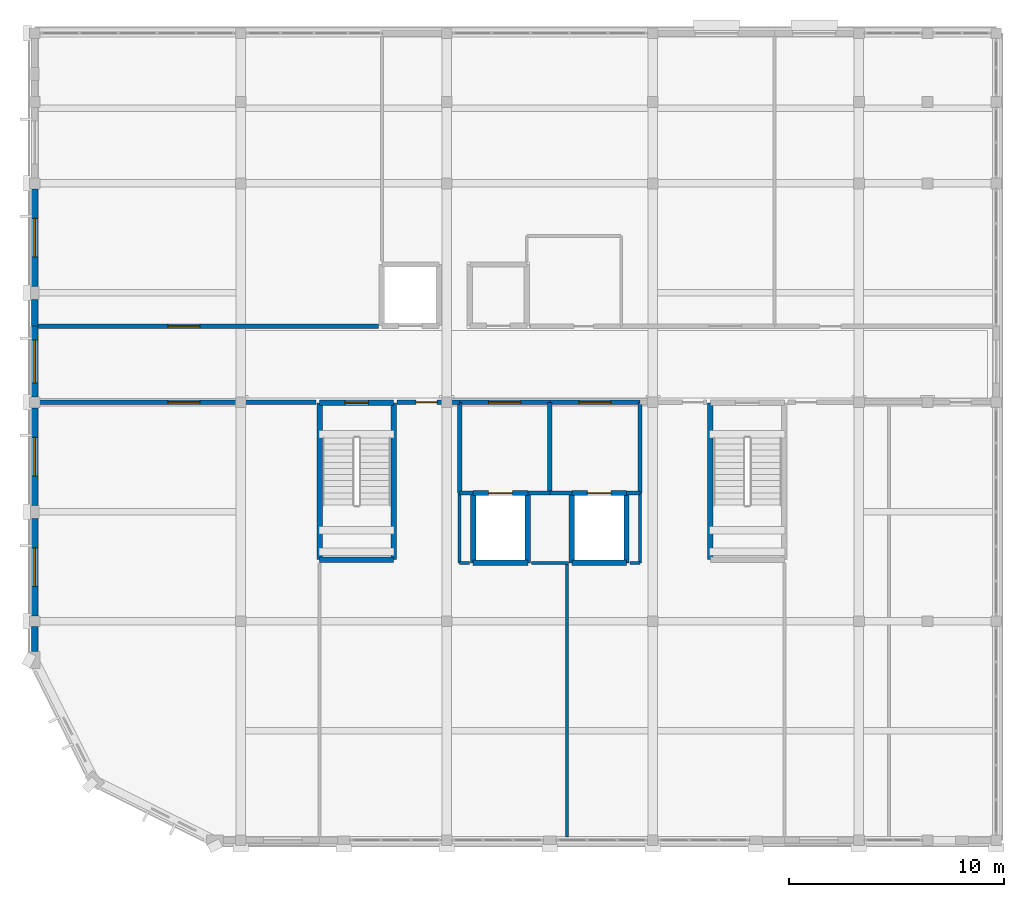
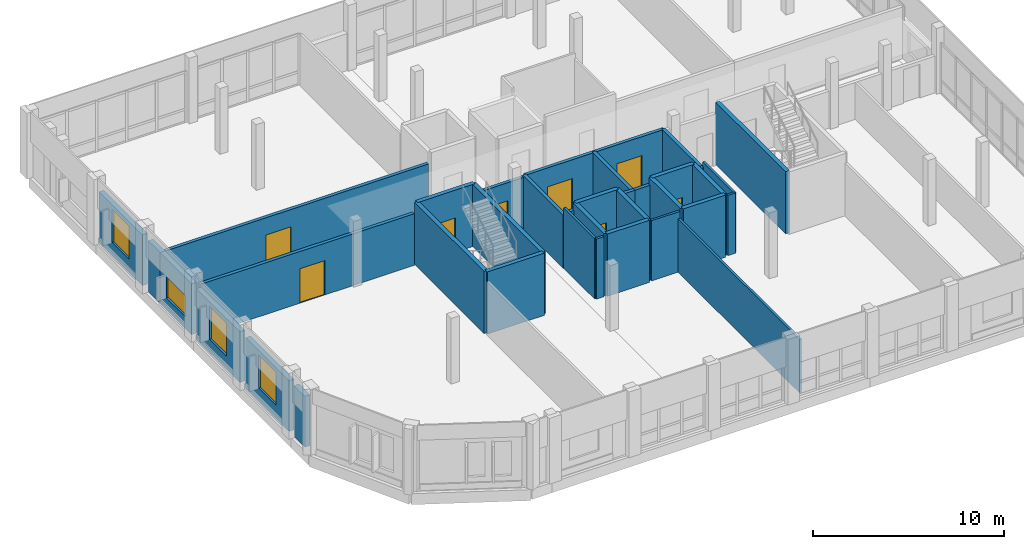
# One storey, part 21 of 29: 37 walls, 8 doors, 4 windows, 12 openings.
"""IFC4 building model written with IfcOpenShell, lengths in metres."""

from ifc_helpers import new_model, si_unit, direction, frame, frame_2d, origin, place, context, subcontext, project, spatial, rectangle, extrude, material, layer, layer_set, type_object, element, fill, save


model = new_model("IFC4")

# Units and contexts
model_context = context("Model", 3, precision=1e-05, world=origin(), true_north=direction((0.0, 1.0)))
body_context = subcontext(model_context, "Body", "Model", "MODEL_VIEW")
ifc_project = project(units=[si_unit("LENGTHUNIT", "METRE"), si_unit("AREAUNIT", "SQUARE_METRE"), si_unit("VOLUMEUNIT", "CUBIC_METRE"), si_unit("PLANEANGLEUNIT", "RADIAN"), si_unit("MASSUNIT", "GRAM", prefix="KILO")], contexts=[model_context])

# Site, building, storey
site_placement = place(None, origin())
site = spatial("IfcSite", under=ifc_project, at=site_placement, CompositionType="ELEMENT")
building_placement = place(site_placement, origin())
building = spatial("IfcBuilding", under=site, at=building_placement, Name="Vondelvale Polytechnic", CompositionType="ELEMENT")
storey_placement = place(building_placement, frame((0.0, 0.0, 26.39990234375)))
storey = spatial("IfcBuildingStorey", under=building, at=storey_placement, Name="L06", CompositionType="ELEMENT", Elevation=26.39990234375)

# Wall
ifc_material_1 = material(Name="Amsterdam School iron-spot clinker clay brickwork", Category="masonry")
ifc_layer_1 = layer(ifc_material_1, 0.300048828125)
ifc_layer_set_1 = layer_set([ifc_layer_1], Name="WL-BRICK-300")
wall_type_1 = type_object("IfcWallType", Name="WL-BRICK-300", PredefinedType="SOLIDWALL", material=ifc_layer_set_1)
wall_1_placement = place(storey_placement, frame((0.0, 8.801025390625, 0.0), z_axis=(0.0, 0.0, 1.0), x_axis=(0.0, 1.0, 0.0)))
element("IfcWall", 1, at=wall_1_placement, inside=storey, type_object=wall_type_1, Name="L06 exterior masonry facade wall", PredefinedType="SOLIDWALL", context=body_context, shape_type="SweptSolid", body=[
    extrude(rectangle(XDim=1.14794921875, YDim=0.300048828125, at=frame_2d((0.573974609375, 0.0))), origin(), (0.0, 0.0, 1.0), 3.25),
])

# Wall, opening, window
wall_2_placement = place(storey_placement, frame((0.0, 10.450927734375, 0.0), z_axis=(0.0, 0.0, 1.0), x_axis=(0.0, 1.0, 0.0)))
wall_2 = element("IfcWall", 2, at=wall_2_placement, inside=storey, type_object=wall_type_1, Name="L06 exterior masonry facade wall", PredefinedType="SOLIDWALL", context=body_context, shape_type="SweptSolid", body=[
    extrude(rectangle(XDim=4.548095703125, YDim=0.300048828125, at=frame_2d((2.27392578125, 0.0))), origin(), (0.0, 0.0, 1.0), 3.25),
])
opening_1_placement = place(wall_2_placement, frame((1.3740234375, 0.0, 0.85009765625)))
opening_1 = element("IfcOpeningElement", 3, at=opening_1_placement, cuts=wall_2, Name="Opening WN-0282", PredefinedType="OPENING", context=body_context, shape_type="SweptSolid", body=[
    extrude(rectangle(XDim=1.800048828125, YDim=2.10009765625, at=frame_2d((0.89990234375, 1.050048828125))), frame((0.0, 0.159912109375, 0.0), z_axis=(0.0, -1.0, 0.0), x_axis=(1.0, 0.0, 0.0)), (0.0, 0.0, 1.0), 0.320068359375),
])
ifc_material_2 = material(Name="Double-glazed low-E insulated architectural glass", Category="glass")
window_type_1 = type_object("IfcWindowType", Name="WN-LAB-1800x2100", PartitioningType="SINGLE_PANEL", PredefinedType="WINDOW", material=ifc_material_2)
window_1_placement = place(opening_1_placement, origin())
window_1 = element("IfcWindow", 4, at=window_1_placement, inside=storey, type_object=window_type_1, Name="L06 double-glazed architectural window WN-0282", OverallHeight=2.10009765625, OverallWidth=1.800048828125, PartitioningType="SINGLE_PANEL", PredefinedType="WINDOW", context=body_context, shape_type="SweptSolid", body=[
    extrude(rectangle(XDim=1.800048828125, YDim=2.10009765625, at=frame_2d((0.89990234375, 1.050048828125))), frame((0.0, 0.030029296875, 0.0), z_axis=(0.0, -1.0, 0.0), x_axis=(1.0, 0.0, 0.0)), (0.0, 0.0, 1.0), 0.06005859375),
])
fill(opening_1, window_1)

wall_3_placement = place(storey_placement, frame((0.0, 15.60107421875, 0.0), z_axis=(0.0, 0.0, 1.0), x_axis=(0.0, 1.0, 0.0)))
wall_3 = element("IfcWall", 5, at=wall_3_placement, inside=storey, type_object=wall_type_1, Name="L06 exterior masonry facade wall", PredefinedType="SOLIDWALL", context=body_context, shape_type="SweptSolid", body=[
    extrude(rectangle(XDim=4.5478515625, YDim=0.300048828125, at=frame_2d((2.27392578125, 0.0))), origin(), (0.0, 0.0, 1.0), 3.25),
])
opening_2_placement = place(wall_3_placement, frame((1.3740234375, 0.0, 0.85009765625)))
opening_2 = element("IfcOpeningElement", 6, at=opening_2_placement, cuts=wall_3, Name="Opening WN-0283", PredefinedType="OPENING", context=body_context, shape_type="SweptSolid", body=[
    extrude(rectangle(XDim=1.800048828125, YDim=2.10009765625, at=frame_2d((0.89990234375, 1.050048828125))), frame((0.0, 0.159912109375, 0.0), z_axis=(0.0, -1.0, 0.0), x_axis=(1.0, 0.0, 0.0)), (0.0, 0.0, 1.0), 0.320068359375),
])
window_2_placement = place(opening_2_placement, origin())
window_2 = element("IfcWindow", 7, at=window_2_placement, inside=storey, type_object=window_type_1, Name="L06 double-glazed architectural window WN-0283", OverallHeight=2.10009765625, OverallWidth=1.800048828125, PartitioningType="SINGLE_PANEL", PredefinedType="WINDOW", context=body_context, shape_type="SweptSolid", body=[
    extrude(rectangle(XDim=1.800048828125, YDim=2.10009765625, at=frame_2d((0.89990234375, 1.050048828125))), frame((0.0, 0.030029296875, 0.0), z_axis=(0.0, -1.0, 0.0), x_axis=(1.0, 0.0, 0.0)), (0.0, 0.0, 1.0), 0.06005859375),
])
fill(opening_2, window_2)

wall_4_placement = place(storey_placement, frame((0.0, 20.65087890625, 0.0), z_axis=(0.0, 0.0, 1.0), x_axis=(0.0, 1.0, 0.0)))
wall_4 = element("IfcWall", 8, at=wall_4_placement, inside=storey, type_object=wall_type_1, Name="L06 exterior masonry facade wall", PredefinedType="SOLIDWALL", context=body_context, shape_type="SweptSolid", body=[
    extrude(rectangle(XDim=3.299072265625, YDim=0.300048828125, at=frame_2d((1.6494140625, 0.0))), origin(), (0.0, 0.0, 1.0), 3.25),
])
opening_3_placement = place(wall_4_placement, frame((0.6494140625, 0.0, 0.75)))
opening_3 = element("IfcOpeningElement", 9, at=opening_3_placement, cuts=wall_4, Name="Opening WN-0284", PredefinedType="OPENING", context=body_context, shape_type="SweptSolid", body=[
    extrude(rectangle(XDim=2.0, YDim=1.35009765625, at=frame_2d((1.0, 0.675048828125))), frame((0.0, 0.159912109375, 0.0), z_axis=(0.0, -1.0, 0.0), x_axis=(1.0, 0.0, 0.0)), (0.0, 0.0, 1.0), 0.320068359375),
])
window_type_2 = type_object("IfcWindowType", Name="WN-RIB-2000x1350", PartitioningType="SINGLE_PANEL", PredefinedType="WINDOW", material=ifc_material_2)
window_3_placement = place(opening_3_placement, origin())
window_3 = element("IfcWindow", 10, at=window_3_placement, inside=storey, type_object=window_type_2, Name="L06 double-glazed architectural window WN-0284", OverallHeight=1.35009765625, OverallWidth=2.0, PartitioningType="SINGLE_PANEL", PredefinedType="WINDOW", context=body_context, shape_type="SweptSolid", body=[
    extrude(rectangle(XDim=2.0, YDim=1.35009765625, at=frame_2d((1.0, 0.675048828125))), frame((0.0, 0.030029296875, 0.0), z_axis=(0.0, -1.0, 0.0), x_axis=(1.0, 0.0, 0.0)), (0.0, 0.0, 1.0), 0.06005859375),
])
fill(opening_3, window_3)

# Wall
wall_5_placement = place(storey_placement, frame((0.0, 23.949951171875, 0.0), z_axis=(0.0, 0.0, 1.0), x_axis=(0.0, 1.0, 0.0)))
element("IfcWall", 11, at=wall_5_placement, inside=storey, type_object=wall_type_1, Name="L06 exterior masonry facade wall", PredefinedType="SOLIDWALL", context=body_context, shape_type="SweptSolid", body=[
    extrude(rectangle(XDim=1.2490234375, YDim=0.300048828125, at=frame_2d((0.62451171875, 0.0))), origin(), (0.0, 0.0, 1.0), 3.25),
])

# Wall, opening, window
wall_6_placement = place(storey_placement, frame((0.0, 25.801025390625, 0.0), z_axis=(0.0, 0.0, 1.0), x_axis=(0.0, 1.0, 0.0)))
wall_6 = element("IfcWall", 12, at=wall_6_placement, inside=storey, type_object=wall_type_1, Name="L06 exterior masonry facade wall", PredefinedType="SOLIDWALL", context=body_context, shape_type="SweptSolid", body=[
    extrude(rectangle(XDim=4.548095703125, YDim=0.300048828125, at=frame_2d((2.27392578125, 0.0))), origin(), (0.0, 0.0, 1.0), 3.25),
])
opening_4_placement = place(wall_6_placement, frame((1.3740234375, 0.0, 0.85009765625)))
opening_4 = element("IfcOpeningElement", 13, at=opening_4_placement, cuts=wall_6, Name="Opening WN-0285", PredefinedType="OPENING", context=body_context, shape_type="SweptSolid", body=[
    extrude(rectangle(XDim=1.800048828125, YDim=2.10009765625, at=frame_2d((0.89990234375, 1.050048828125))), frame((0.0, 0.159912109375, 0.0), z_axis=(0.0, -1.0, 0.0), x_axis=(1.0, 0.0, 0.0)), (0.0, 0.0, 1.0), 0.320068359375),
])
window_4_placement = place(opening_4_placement, origin())
window_4 = element("IfcWindow", 14, at=window_4_placement, inside=storey, type_object=window_type_1, Name="L06 double-glazed architectural window WN-0285", OverallHeight=2.10009765625, OverallWidth=1.800048828125, PartitioningType="SINGLE_PANEL", PredefinedType="WINDOW", context=body_context, shape_type="SweptSolid", body=[
    extrude(rectangle(XDim=1.800048828125, YDim=2.10009765625, at=frame_2d((0.89990234375, 1.050048828125))), frame((0.0, 0.030029296875, 0.0), z_axis=(0.0, -1.0, 0.0), x_axis=(1.0, 0.0, 0.0)), (0.0, 0.0, 1.0), 0.06005859375),
])
fill(opening_4, window_4)

# Walls
ifc_material_3 = material(Name="Concrete N40 (f'c = 40 MPa)", Category="concrete")
ifc_layer_2 = layer(ifc_material_3, 0.25)
ifc_layer_set_2 = layer_set([ifc_layer_2], Name="WL-CORE-250")
wall_type_2 = type_object("IfcWallType", Name="WL-CORE-250", PredefinedType="SOLIDWALL", material=ifc_layer_set_2)
wall_7_placement = place(storey_placement, frame((13.27490234375, 20.375, 0.0), z_axis=(0.0, 0.0, 1.0), x_axis=(0.0, -1.0, 0.0)))
element("IfcWall", 15, at=wall_7_placement, inside=storey, type_object=wall_type_2, Name="L06 ST-03 reinforced concrete stair core wall", PredefinedType="SOLIDWALL", context=body_context, shape_type="SweptSolid", body=[
    extrude(rectangle(XDim=7.300048828125, YDim=0.25, at=frame_2d((3.64990234375, 0.0))), origin(), (0.0, 0.0, 1.0), 3.97509765625),
])
wall_8_placement = place(storey_placement, frame((13.27490234375, 13.074951171875, 0.0), z_axis=(0.0, 0.0, 1.0), x_axis=(1.0, 0.0, 0.0)))
element("IfcWall", 16, at=wall_8_placement, inside=storey, type_object=wall_type_2, Name="L06 ST-03 reinforced concrete stair core wall", PredefinedType="SOLIDWALL", context=body_context, shape_type="SweptSolid", body=[
    extrude(rectangle(XDim=3.4501953125, YDim=0.25, at=frame_2d((1.72509765625, 0.0))), origin(), (0.0, 0.0, 1.0), 3.97509765625),
])
wall_9_placement = place(storey_placement, frame((16.72509765625, 13.074951171875, 0.0), z_axis=(0.0, 0.0, 1.0), x_axis=(0.0, 1.0, 0.0)))
element("IfcWall", 17, at=wall_9_placement, inside=storey, type_object=wall_type_2, Name="L06 ST-03 reinforced concrete stair core wall", PredefinedType="SOLIDWALL", context=body_context, shape_type="SweptSolid", body=[
    extrude(rectangle(XDim=7.300048828125, YDim=0.25, at=frame_2d((3.64990234375, 0.0))), origin(), (0.0, 0.0, 1.0), 3.97509765625),
])

# Wall, opening, door
wall_10_placement = place(storey_placement, frame((16.72509765625, 20.375, 0.0), z_axis=(0.0, 0.0, 1.0), x_axis=(-1.0, 0.0, 0.0)))
wall_10 = element("IfcWall", 18, at=wall_10_placement, inside=storey, type_object=wall_type_2, Name="L06 ST-03 reinforced concrete stair core wall", PredefinedType="SOLIDWALL", context=body_context, shape_type="SweptSolid", body=[
    extrude(rectangle(XDim=3.4501953125, YDim=0.25, at=frame_2d((1.72509765625, 0.0))), origin(), (0.0, 0.0, 1.0), 3.97509765625),
])
opening_5_placement = place(wall_10_placement, frame((1.175048828125, 0.0, 0.0)))
opening_5 = element("IfcOpeningElement", 19, at=opening_5_placement, cuts=wall_10, Name="Opening SD-016", PredefinedType="OPENING", context=body_context, shape_type="SweptSolid", body=[
    extrude(rectangle(XDim=1.10009765625, YDim=2.199951171875, at=frame_2d((0.550048828125, 1.10009765625))), frame((0.0, 0.135009765625, 0.0), z_axis=(0.0, -1.0, 0.0), x_axis=(1.0, 0.0, 0.0)), (0.0, 0.0, 1.0), 0.27001953125),
])
ifc_material_4 = material(Name="Brushed architectural stainless and zinc-coated metal")
door_type_1 = type_object("IfcDoorType", Name="DR-STAIR-1100x2200", OperationType="SINGLE_SWING_LEFT", PredefinedType="DOOR", material=ifc_material_4)
door_1_placement = place(opening_5_placement, origin())
door_1 = element("IfcDoor", 20, at=door_1_placement, inside=storey, type_object=door_type_1, Name="L06 ST-03 fire-isolated stair door", OperationType="SINGLE_SWING_RIGHT", OverallHeight=2.199951171875, OverallWidth=1.10009765625, PredefinedType="DOOR", context=body_context, shape_type="SweptSolid", body=[
    extrude(rectangle(XDim=1.10009765625, YDim=2.199951171875, at=frame_2d((0.550048828125, 1.10009765625))), frame((0.0, 0.02490234375, 0.0), z_axis=(0.0, -1.0, 0.0), x_axis=(1.0, 0.0, 0.0)), (0.0, 0.0, 1.0), 0.050048828125),
])
fill(opening_5, door_1)

# Wall
wall_11_placement = place(storey_placement, frame((31.47509765625, 20.375, 0.0), z_axis=(0.0, 0.0, 1.0), x_axis=(0.0, -1.0, 0.0)))
element("IfcWall", 21, at=wall_11_placement, inside=storey, type_object=wall_type_2, Name="L06 ST-04 reinforced concrete stair core wall", PredefinedType="SOLIDWALL", context=body_context, shape_type="SweptSolid", body=[
    extrude(rectangle(XDim=7.300048828125, YDim=0.25, at=frame_2d((3.64990234375, 0.0))), origin(), (0.0, 0.0, 1.0), 3.97509765625),
])

# Wall, opening, door
ifc_material_5 = material(Name="Fire-rated double-layer plasterboard stud partition")
ifc_layer_3 = layer(ifc_material_5, 0.199951171875)
ifc_layer_set_3 = layer_set([ifc_layer_3], Name="WL-CORR-200")
wall_type_3 = type_object("IfcWallType", Name="WL-CORR-200", PredefinedType="PARTITIONING", material=ifc_layer_set_3)
wall_12_placement = place(storey_placement, frame((19.800048828125, 20.39990234375, 0.0), z_axis=(0.0, 0.0, 1.0), x_axis=(1.0, 0.0, 0.0)))
wall_12 = element("IfcWall", 22, at=wall_12_placement, inside=storey, type_object=wall_type_3, Name="L06 EL-01 fire-isolated lift lobby wall", PredefinedType="PARTITIONING", context=body_context, shape_type="SweptSolid", body=[
    extrude(rectangle(XDim=4.199951171875, YDim=0.199951171875, at=frame_2d((2.10009765625, 0.0))), origin(), (0.0, 0.0, 1.0), 3.405029296875),
])
opening_6_placement = place(wall_12_placement, frame((1.35009765625, 0.0, 0.0)))
opening_6 = element("IfcOpeningElement", 23, at=opening_6_placement, cuts=wall_12, Name="Opening LBD-063", PredefinedType="OPENING", context=body_context, shape_type="SweptSolid", body=[
    extrude(rectangle(XDim=1.5, YDim=2.199951171875, at=frame_2d((0.75, 1.10009765625))), frame((0.0, 0.10986328125, 0.0), z_axis=(0.0, -1.0, 0.0), x_axis=(1.0, 0.0, 0.0)), (0.0, 0.0, 1.0), 0.219970703125),
])
ifc_material_6 = material(Name="Engineered Tasmanian oak studio and bridge joinery")
door_type_2 = type_object("IfcDoorType", Name="DR-LOBBY-1500x2200", OperationType="DOUBLE_DOOR_SINGLE_SWING", PredefinedType="DOOR", material=ifc_material_6)
door_2_placement = place(opening_6_placement, origin())
door_2 = element("IfcDoor", 24, at=door_2_placement, inside=storey, type_object=door_type_2, Name="L06 EL-01 firefighting lobby smoke door", OperationType="SINGLE_SWING_LEFT", OverallHeight=2.199951171875, OverallWidth=1.5, PredefinedType="DOOR", context=body_context, shape_type="SweptSolid", body=[
    extrude(rectangle(XDim=1.5, YDim=2.199951171875, at=frame_2d((0.75, 1.10009765625))), frame((0.0, 0.02490234375, 0.0), z_axis=(0.0, -1.0, 0.0), x_axis=(1.0, 0.0, 0.0)), (0.0, 0.0, 1.0), 0.050048828125),
])
fill(opening_6, door_2)

# Walls
for number, where, z_axis, x_axis, name in (
    (25, (19.800048828125, 16.175048828125, 0.0), (0.0, 0.0, 1.0), (0.0, 1.0, 0.0), "L06 EL-01 fire-isolated lift lobby wall"),
    (26, (24.0, 16.175048828125, 0.0), (0.0, 0.0, 1.0), (0.0, 1.0, 0.0), "L06 EL-01 fire-isolated lift lobby wall"),
):
    element("IfcWall", number, at=place(storey_placement, frame(where, z_axis=z_axis, x_axis=x_axis)), inside=storey, type_object=wall_type_3, Name=name, PredefinedType="PARTITIONING", context=body_context, shape_type="SweptSolid", body=[
        extrude(rectangle(XDim=4.224853515625, YDim=0.199951171875, at=frame_2d((2.1123046875, 0.0))), origin(), (0.0, 0.0, 1.0), 3.405029296875),
    ])
wall_13_placement = place(storey_placement, frame((19.800048828125, 16.175048828125, 0.0), z_axis=(0.0, 0.0, 1.0), x_axis=(1.0, 0.0, 0.0)))
element("IfcWall", 27, at=wall_13_placement, inside=storey, type_object=wall_type_3, Name="L06 EL-01 fire-isolated lift lobby wall", PredefinedType="PARTITIONING", context=body_context, shape_type="SweptSolid", body=[
    extrude(rectangle(XDim=0.625, YDim=0.199951171875, at=frame_2d((0.3125, 0.0))), origin(), (0.0, 0.0, 1.0), 3.550048828125),
])
wall_14_placement = place(storey_placement, frame((22.97509765625, 16.175048828125, 0.0), z_axis=(0.0, 0.0, 1.0), x_axis=(1.0, 0.0, 0.0)))
element("IfcWall", 28, at=wall_14_placement, inside=storey, type_object=wall_type_3, Name="L06 EL-01 fire-isolated lift lobby wall", PredefinedType="PARTITIONING", context=body_context, shape_type="SweptSolid", body=[
    extrude(rectangle(XDim=1.02490234375, YDim=0.199951171875, at=frame_2d((0.512451171875, 0.0))), origin(), (0.0, 0.0, 1.0), 3.550048828125),
])

# Wall, opening, door
wall_15_placement = place(storey_placement, frame((24.0, 20.39990234375, 0.0), z_axis=(0.0, 0.0, 1.0), x_axis=(1.0, 0.0, 0.0)))
wall_15 = element("IfcWall", 29, at=wall_15_placement, inside=storey, type_object=wall_type_3, Name="L06 EL-02 fire-isolated lift lobby wall", PredefinedType="PARTITIONING", context=body_context, shape_type="SweptSolid", body=[
    extrude(rectangle(XDim=4.199951171875, YDim=0.199951171875, at=frame_2d((2.10009765625, 0.0))), origin(), (0.0, 0.0, 1.0), 3.405029296875),
])
opening_7_placement = place(wall_15_placement, frame((1.35009765625, 0.0, 0.0)))
opening_7 = element("IfcOpeningElement", 30, at=opening_7_placement, cuts=wall_15, Name="Opening LBD-072", PredefinedType="OPENING", context=body_context, shape_type="SweptSolid", body=[
    extrude(rectangle(XDim=1.5, YDim=2.199951171875, at=frame_2d((0.75, 1.10009765625))), frame((0.0, 0.10986328125, 0.0), z_axis=(0.0, -1.0, 0.0), x_axis=(1.0, 0.0, 0.0)), (0.0, 0.0, 1.0), 0.219970703125),
])
door_3_placement = place(opening_7_placement, origin())
door_3 = element("IfcDoor", 31, at=door_3_placement, inside=storey, type_object=door_type_2, Name="L06 EL-02 firefighting lobby smoke door", OperationType="SINGLE_SWING_LEFT", OverallHeight=2.199951171875, OverallWidth=1.5, PredefinedType="DOOR", context=body_context, shape_type="SweptSolid", body=[
    extrude(rectangle(XDim=1.5, YDim=2.199951171875, at=frame_2d((0.75, 1.10009765625))), frame((0.0, 0.02490234375, 0.0), z_axis=(0.0, -1.0, 0.0), x_axis=(1.0, 0.0, 0.0)), (0.0, 0.0, 1.0), 0.050048828125),
])
fill(opening_7, door_3)

# Walls
wall_16_placement = place(storey_placement, frame((28.199951171875, 16.175048828125, 0.0), z_axis=(0.0, 0.0, 1.0), x_axis=(0.0, 1.0, 0.0)))
element("IfcWall", 32, at=wall_16_placement, inside=storey, type_object=wall_type_3, Name="L06 EL-02 fire-isolated lift lobby wall", PredefinedType="PARTITIONING", context=body_context, shape_type="SweptSolid", body=[
    extrude(rectangle(XDim=4.224853515625, YDim=0.199951171875, at=frame_2d((2.1123046875, 0.0))), origin(), (0.0, 0.0, 1.0), 3.405029296875),
])
wall_17_placement = place(storey_placement, frame((24.0, 16.175048828125, 0.0), z_axis=(0.0, 0.0, 1.0), x_axis=(1.0, 0.0, 0.0)))
element("IfcWall", 33, at=wall_17_placement, inside=storey, type_object=wall_type_3, Name="L06 EL-02 fire-isolated lift lobby wall", PredefinedType="PARTITIONING", context=body_context, shape_type="SweptSolid", body=[
    extrude(rectangle(XDim=1.02490234375, YDim=0.199951171875, at=frame_2d((0.512451171875, 0.0))), origin(), (0.0, 0.0, 1.0), 3.550048828125),
])
wall_18_placement = place(storey_placement, frame((27.574951171875, 16.175048828125, 0.0), z_axis=(0.0, 0.0, 1.0), x_axis=(1.0, 0.0, 0.0)))
element("IfcWall", 34, at=wall_18_placement, inside=storey, type_object=wall_type_3, Name="L06 EL-02 fire-isolated lift lobby wall", PredefinedType="PARTITIONING", context=body_context, shape_type="SweptSolid", body=[
    extrude(rectangle(XDim=0.625, YDim=0.199951171875, at=frame_2d((0.3125, 0.0))), origin(), (0.0, 0.0, 1.0), 3.550048828125),
])

# Wall, opening, door
wall_19_placement = place(storey_placement, frame((0.14990234375, 20.39990234375, 0.0), z_axis=(0.0, 0.0, 1.0), x_axis=(1.0, 0.0, 0.0)))
wall_19 = element("IfcWall", 35, at=wall_19_placement, inside=storey, type_object=wall_type_3, Name="L06 interior acoustic partition", PredefinedType="PARTITIONING", context=body_context, shape_type="SweptSolid", body=[
    extrude(rectangle(XDim=12.960205078125, YDim=0.199951171875, at=frame_2d((6.47998046875, 0.0))), origin(), (0.0, 0.0, 1.0), 3.30517578125),
])
opening_8_placement = place(wall_19_placement, frame((6.050048828125, 0.0, 0.0)))
opening_8 = element("IfcOpeningElement", 36, at=opening_8_placement, cuts=wall_19, Name="Opening ID-0195", PredefinedType="OPENING", context=body_context, shape_type="SweptSolid", body=[
    extrude(rectangle(XDim=1.5, YDim=2.199951171875, at=frame_2d((0.75, 1.10009765625))), frame((0.0, 0.10986328125, 0.0), z_axis=(0.0, -1.0, 0.0), x_axis=(1.0, 0.0, 0.0)), (0.0, 0.0, 1.0), 0.219970703125),
])
ifc_material_7 = material(Name="Fire-rated solid Tasmanian oak joinery")
door_type_3 = type_object("IfcDoorType", Name="DR-LAB-1500x2200", OperationType="DOUBLE_DOOR_SINGLE_SWING", PredefinedType="DOOR", material=ifc_material_7)
door_4_placement = place(opening_8_placement, origin())
door_4 = element("IfcDoor", 37, at=door_4_placement, inside=storey, type_object=door_type_3, Name="L06 interior room door ID-0195", OperationType="DOUBLE_DOOR_SINGLE_SWING", OverallHeight=2.199951171875, OverallWidth=1.5, PredefinedType="DOOR", context=body_context, shape_type="SweptSolid", body=[
    extrude(rectangle(XDim=1.5, YDim=2.199951171875, at=frame_2d((0.75, 1.10009765625))), frame((0.0, 0.02490234375, 0.0), z_axis=(0.0, -1.0, 0.0), x_axis=(1.0, 0.0, 0.0)), (0.0, 0.0, 1.0), 0.050048828125),
])
fill(opening_8, door_4)

wall_20_placement = place(storey_placement, frame((16.889892578125, 20.39990234375, 0.0), z_axis=(0.0, 0.0, 1.0), x_axis=(1.0, 0.0, 0.0)))
wall_20 = element("IfcWall", 38, at=wall_20_placement, inside=storey, type_object=wall_type_3, Name="L06 interior acoustic partition", PredefinedType="PARTITIONING", context=body_context, shape_type="SweptSolid", body=[
    extrude(rectangle(XDim=2.91015625, YDim=0.199951171875, at=frame_2d((1.455078125, 0.0))), origin(), (0.0, 0.0, 1.0), 3.30517578125),
])
opening_9_placement = place(wall_20_placement, frame((0.885009765625, 0.0, 0.0)))
opening_9 = element("IfcOpeningElement", 39, at=opening_9_placement, cuts=wall_20, Name="Opening ID-0196", PredefinedType="OPENING", context=body_context, shape_type="SweptSolid", body=[
    extrude(rectangle(XDim=0.97998046875, YDim=2.14990234375, at=frame_2d((0.489990234375, 1.074951171875))), frame((0.0, 0.10986328125, 0.0), z_axis=(0.0, -1.0, 0.0), x_axis=(1.0, 0.0, 0.0)), (0.0, 0.0, 1.0), 0.219970703125),
])
door_type_4 = type_object("IfcDoorType", Name="DR-INT-0980x2150", OperationType="SINGLE_SWING_RIGHT", PredefinedType="DOOR", material=ifc_material_7)
door_5_placement = place(opening_9_placement, origin())
door_5 = element("IfcDoor", 40, at=door_5_placement, inside=storey, type_object=door_type_4, Name="L06 interior room door ID-0196", OperationType="SINGLE_SWING_RIGHT", OverallHeight=2.14990234375, OverallWidth=0.97998046875, PredefinedType="DOOR", context=body_context, shape_type="SweptSolid", body=[
    extrude(rectangle(XDim=0.97998046875, YDim=2.14990234375, at=frame_2d((0.489990234375, 1.074951171875))), frame((0.0, 0.02490234375, 0.0), z_axis=(0.0, -1.0, 0.0), x_axis=(1.0, 0.0, 0.0)), (0.0, 0.0, 1.0), 0.050048828125),
])
fill(opening_9, door_5)

wall_21_placement = place(storey_placement, frame((0.14990234375, 23.949951171875, 0.0), z_axis=(0.0, 0.0, 1.0), x_axis=(1.0, 0.0, 0.0)))
wall_21 = element("IfcWall", 41, at=wall_21_placement, inside=storey, type_object=wall_type_3, Name="L06 interior acoustic partition", PredefinedType="PARTITIONING", context=body_context, shape_type="SweptSolid", body=[
    extrude(rectangle(XDim=15.860107421875, YDim=0.199951171875, at=frame_2d((7.93017578125, 0.0))), origin(), (0.0, 0.0, 1.0), 3.30517578125),
])
opening_10_placement = place(wall_21_placement, frame((6.050048828125, 0.0, 0.0)))
opening_10 = element("IfcOpeningElement", 42, at=opening_10_placement, cuts=wall_21, Name="Opening ID-0201", PredefinedType="OPENING", context=body_context, shape_type="SweptSolid", body=[
    extrude(rectangle(XDim=1.5, YDim=2.199951171875, at=frame_2d((0.75, 1.10009765625))), frame((0.0, 0.10986328125, 0.0), z_axis=(0.0, -1.0, 0.0), x_axis=(1.0, 0.0, 0.0)), (0.0, 0.0, 1.0), 0.219970703125),
])
door_6_placement = place(opening_10_placement, origin())
door_6 = element("IfcDoor", 43, at=door_6_placement, inside=storey, type_object=door_type_3, Name="L06 interior room door ID-0201", OperationType="DOUBLE_DOOR_SINGLE_SWING", OverallHeight=2.199951171875, OverallWidth=1.5, PredefinedType="DOOR", context=body_context, shape_type="SweptSolid", body=[
    extrude(rectangle(XDim=1.5, YDim=2.199951171875, at=frame_2d((0.75, 1.10009765625))), frame((0.0, 0.02490234375, 0.0), z_axis=(0.0, -1.0, 0.0), x_axis=(1.0, 0.0, 0.0)), (0.0, 0.0, 1.0), 0.050048828125),
])
fill(opening_10, door_6)

# Walls
ifc_layer_4 = layer(ifc_material_5, 0.135009765625)
ifc_layer_set_4 = layer_set([ifc_layer_4], Name="WL-INT-135")
wall_type_4 = type_object("IfcWallType", Name="WL-INT-135", PredefinedType="PARTITIONING", material=ifc_layer_set_4)
wall_22_placement = place(storey_placement, frame((19.800048828125, 12.925048828125, 0.0), z_axis=(0.0, 0.0, 1.0), x_axis=(1.0, 0.0, 0.0)))
element("IfcWall", 44, at=wall_22_placement, inside=storey, type_object=wall_type_4, Name="L06 interior acoustic partition", PredefinedType="PARTITIONING", context=body_context, shape_type="SweptSolid", body=[
    extrude(rectangle(XDim=0.4599609375, YDim=0.135009765625, at=frame_2d((0.22998046875, 0.0))), origin(), (0.0, 0.0, 1.0), 3.85009765625),
])
wall_23_placement = place(storey_placement, frame((23.139892578125, 12.925048828125, 0.0), z_axis=(0.0, 0.0, 1.0), x_axis=(1.0, 0.0, 0.0)))
element("IfcWall", 45, at=wall_23_placement, inside=storey, type_object=wall_type_4, Name="L06 interior acoustic partition", PredefinedType="PARTITIONING", context=body_context, shape_type="SweptSolid", body=[
    extrude(rectangle(XDim=1.72021484375, YDim=0.135009765625, at=frame_2d((0.860107421875, 0.0))), origin(), (0.0, 0.0, 1.0), 3.85009765625),
])
wall_24_placement = place(storey_placement, frame((27.739990234375, 12.925048828125, 0.0), z_axis=(0.0, 0.0, 1.0), x_axis=(1.0, 0.0, 0.0)))
element("IfcWall", 46, at=wall_24_placement, inside=storey, type_object=wall_type_4, Name="L06 interior acoustic partition", PredefinedType="PARTITIONING", context=body_context, shape_type="SweptSolid", body=[
    extrude(rectangle(XDim=0.4599609375, YDim=0.135009765625, at=frame_2d((0.22998046875, 0.0))), origin(), (0.0, 0.0, 1.0), 3.85009765625),
])
wall_25_placement = place(storey_placement, frame((19.800048828125, 12.925048828125, 0.0), z_axis=(0.0, 0.0, 1.0), x_axis=(0.0, 1.0, 0.0)))
element("IfcWall", 47, at=wall_25_placement, inside=storey, type_object=wall_type_4, Name="L06 interior acoustic partition", PredefinedType="PARTITIONING", context=body_context, shape_type="SweptSolid", body=[
    extrude(rectangle(XDim=3.25, YDim=0.135009765625, at=frame_2d((1.625, 0.0))), origin(), (0.0, 0.0, 1.0), 3.85009765625),
])
wall_26_placement = place(storey_placement, frame((24.800048828125, 0.14990234375, 0.0), z_axis=(0.0, 0.0, 1.0), x_axis=(0.0, 1.0, 0.0)))
element("IfcWall", 48, at=wall_26_placement, inside=storey, type_object=wall_type_4, Name="L06 interior acoustic partition", PredefinedType="PARTITIONING", context=body_context, shape_type="SweptSolid", body=[
    extrude(rectangle(XDim=12.775146484375, YDim=0.135009765625, at=frame_2d((6.3876953125, 0.0))), origin(), (0.0, 0.0, 1.0), 3.405029296875),
])
wall_27_placement = place(storey_placement, frame((28.199951171875, 12.925048828125, 0.0), z_axis=(0.0, 0.0, 1.0), x_axis=(0.0, 1.0, 0.0)))
element("IfcWall", 49, at=wall_27_placement, inside=storey, type_object=wall_type_4, Name="L06 interior acoustic partition", PredefinedType="PARTITIONING", context=body_context, shape_type="SweptSolid", body=[
    extrude(rectangle(XDim=3.25, YDim=0.135009765625, at=frame_2d((1.625, 0.0))), origin(), (0.0, 0.0, 1.0), 3.85009765625),
])
ifc_layer_5 = layer(ifc_material_3, 0.25)
ifc_layer_set_5 = layer_set([ifc_layer_5], Name="WL-SHAFT-250")
wall_type_5 = type_object("IfcWallType", Name="WL-SHAFT-250", PredefinedType="SOLIDWALL", material=ifc_layer_set_5)
wall_28_placement = place(storey_placement, frame((20.425048828125, 12.925048828125, 0.0), z_axis=(0.0, 0.0, 1.0), x_axis=(1.0, 0.0, 0.0)))
element("IfcWall", 50, at=wall_28_placement, inside=storey, type_object=wall_type_5, Name="L06 EL-01 lift shaft wall S", PredefinedType="SOLIDWALL", context=body_context, shape_type="SweptSolid", body=[
    extrude(rectangle(XDim=2.550048828125, YDim=0.25, at=frame_2d((1.27490234375, 0.0))), origin(), (0.0, 0.0, 1.0), 3.97509765625),
])
wall_29_placement = place(storey_placement, frame((22.97509765625, 12.925048828125, 0.0), z_axis=(0.0, 0.0, 1.0), x_axis=(0.0, 1.0, 0.0)))
element("IfcWall", 51, at=wall_29_placement, inside=storey, type_object=wall_type_5, Name="L06 EL-01 lift shaft wall E", PredefinedType="SOLIDWALL", context=body_context, shape_type="SweptSolid", body=[
    extrude(rectangle(XDim=3.25, YDim=0.25, at=frame_2d((1.625, 0.0))), origin(), (0.0, 0.0, 1.0), 3.97509765625),
])

# Wall, opening, door
wall_30_placement = place(storey_placement, frame((22.97509765625, 16.175048828125, 0.0), z_axis=(0.0, 0.0, 1.0), x_axis=(-1.0, 0.0, 0.0)))
wall_30 = element("IfcWall", 52, at=wall_30_placement, inside=storey, type_object=wall_type_5, Name="L06 EL-01 lift shaft wall N", PredefinedType="SOLIDWALL", context=body_context, shape_type="SweptSolid", body=[
    extrude(rectangle(XDim=2.550048828125, YDim=0.25, at=frame_2d((1.27490234375, 0.0))), origin(), (0.0, 0.0, 1.0), 3.97509765625),
])
opening_11_placement = place(wall_30_placement, frame((0.72509765625, 0.0, 0.0)))
opening_11 = element("IfcOpeningElement", 53, at=opening_11_placement, cuts=wall_30, Name="Opening LD-008", PredefinedType="OPENING", context=body_context, shape_type="SweptSolid", body=[
    extrude(rectangle(XDim=1.10009765625, YDim=2.10009765625, at=frame_2d((0.550048828125, 1.050048828125))), frame((0.0, 0.135009765625, 0.0), z_axis=(0.0, -1.0, 0.0), x_axis=(1.0, 0.0, 0.0)), (0.0, 0.0, 1.0), 0.27001953125),
])
door_type_5 = type_object("IfcDoorType", Name="DR-LIFT-1100x2100", OperationType="SLIDING_TO_LEFT", PredefinedType="DOOR", material=ifc_material_4)
door_7_placement = place(opening_11_placement, origin())
door_7 = element("IfcDoor", 54, at=door_7_placement, inside=storey, type_object=door_type_5, Name="L06 EL-01 sliding lift landing door", OperationType="SLIDING_TO_LEFT", OverallHeight=2.10009765625, OverallWidth=1.10009765625, PredefinedType="DOOR", context=body_context, shape_type="SweptSolid", body=[
    extrude(rectangle(XDim=1.10009765625, YDim=2.10009765625, at=frame_2d((0.550048828125, 1.050048828125))), frame((0.0, 0.02490234375, 0.0), z_axis=(0.0, -1.0, 0.0), x_axis=(1.0, 0.0, 0.0)), (0.0, 0.0, 1.0), 0.050048828125),
])
fill(opening_11, door_7)

# Walls
wall_31_placement = place(storey_placement, frame((20.425048828125, 16.175048828125, 0.0), z_axis=(0.0, 0.0, 1.0), x_axis=(0.0, -1.0, 0.0)))
element("IfcWall", 55, at=wall_31_placement, inside=storey, type_object=wall_type_5, Name="L06 EL-01 lift shaft wall W", PredefinedType="SOLIDWALL", context=body_context, shape_type="SweptSolid", body=[
    extrude(rectangle(XDim=3.25, YDim=0.25, at=frame_2d((1.625, 0.0))), origin(), (0.0, 0.0, 1.0), 3.97509765625),
])
wall_32_placement = place(storey_placement, frame((25.02490234375, 12.925048828125, 0.0), z_axis=(0.0, 0.0, 1.0), x_axis=(1.0, 0.0, 0.0)))
element("IfcWall", 56, at=wall_32_placement, inside=storey, type_object=wall_type_5, Name="L06 EL-02 lift shaft wall S", PredefinedType="SOLIDWALL", context=body_context, shape_type="SweptSolid", body=[
    extrude(rectangle(XDim=2.550048828125, YDim=0.25, at=frame_2d((1.27490234375, 0.0))), origin(), (0.0, 0.0, 1.0), 3.97509765625),
])
wall_33_placement = place(storey_placement, frame((27.574951171875, 12.925048828125, 0.0), z_axis=(0.0, 0.0, 1.0), x_axis=(0.0, 1.0, 0.0)))
element("IfcWall", 57, at=wall_33_placement, inside=storey, type_object=wall_type_5, Name="L06 EL-02 lift shaft wall E", PredefinedType="SOLIDWALL", context=body_context, shape_type="SweptSolid", body=[
    extrude(rectangle(XDim=3.25, YDim=0.25, at=frame_2d((1.625, 0.0))), origin(), (0.0, 0.0, 1.0), 3.97509765625),
])

# Wall, opening, door
wall_34_placement = place(storey_placement, frame((27.574951171875, 16.175048828125, 0.0), z_axis=(0.0, 0.0, 1.0), x_axis=(-1.0, 0.0, 0.0)))
wall_34 = element("IfcWall", 58, at=wall_34_placement, inside=storey, type_object=wall_type_5, Name="L06 EL-02 lift shaft wall N", PredefinedType="SOLIDWALL", context=body_context, shape_type="SweptSolid", body=[
    extrude(rectangle(XDim=2.550048828125, YDim=0.25, at=frame_2d((1.27490234375, 0.0))), origin(), (0.0, 0.0, 1.0), 3.97509765625),
])
opening_12_placement = place(wall_34_placement, frame((0.72509765625, 0.0, 0.0)))
opening_12 = element("IfcOpeningElement", 59, at=opening_12_placement, cuts=wall_34, Name="Opening LD-017", PredefinedType="OPENING", context=body_context, shape_type="SweptSolid", body=[
    extrude(rectangle(XDim=1.10009765625, YDim=2.10009765625, at=frame_2d((0.550048828125, 1.050048828125))), frame((0.0, 0.135009765625, 0.0), z_axis=(0.0, -1.0, 0.0), x_axis=(1.0, 0.0, 0.0)), (0.0, 0.0, 1.0), 0.27001953125),
])
door_8_placement = place(opening_12_placement, origin())
door_8 = element("IfcDoor", 60, at=door_8_placement, inside=storey, type_object=door_type_5, Name="L06 EL-02 sliding lift landing door", OperationType="SLIDING_TO_LEFT", OverallHeight=2.10009765625, OverallWidth=1.10009765625, PredefinedType="DOOR", context=body_context, shape_type="SweptSolid", body=[
    extrude(rectangle(XDim=1.10009765625, YDim=2.10009765625, at=frame_2d((0.550048828125, 1.050048828125))), frame((0.0, 0.02490234375, 0.0), z_axis=(0.0, -1.0, 0.0), x_axis=(1.0, 0.0, 0.0)), (0.0, 0.0, 1.0), 0.050048828125),
])
fill(opening_12, door_8)

# Wall
wall_35_placement = place(storey_placement, frame((25.02490234375, 16.175048828125, 0.0), z_axis=(0.0, 0.0, 1.0), x_axis=(0.0, -1.0, 0.0)))
element("IfcWall", 61, at=wall_35_placement, inside=storey, type_object=wall_type_5, Name="L06 EL-02 lift shaft wall W", PredefinedType="SOLIDWALL", context=body_context, shape_type="SweptSolid", body=[
    extrude(rectangle(XDim=3.25, YDim=0.25, at=frame_2d((1.625, 0.0))), origin(), (0.0, 0.0, 1.0), 3.97509765625),
])

save(model, "model.ifc")
